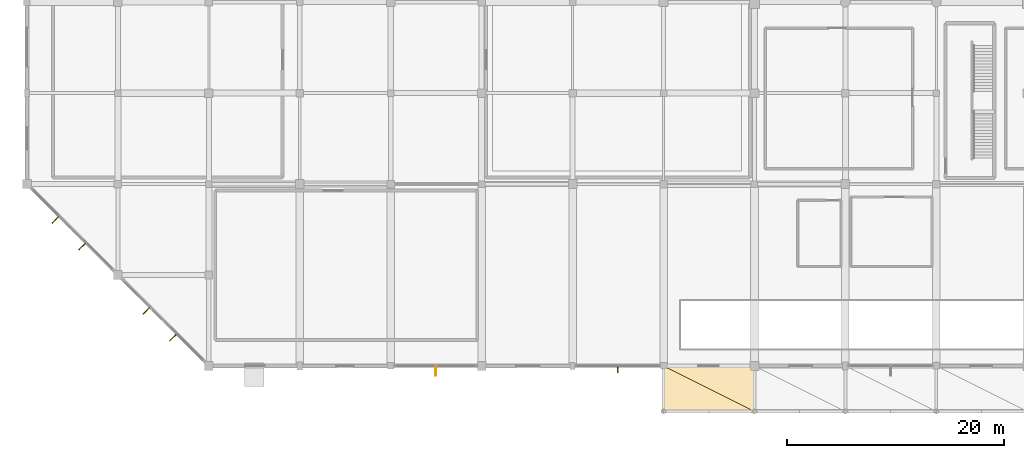
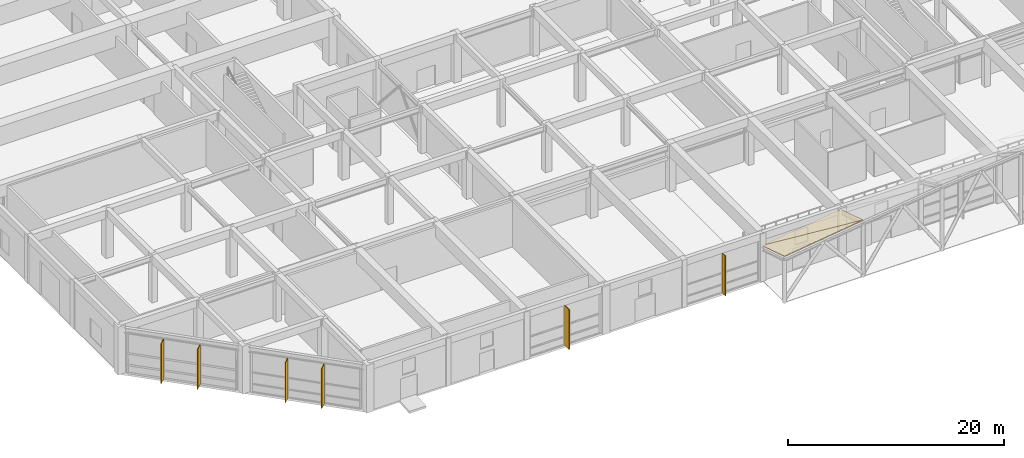
# One storey, part 52 of 62: 6 shading devices, 2 coverings.
"""IFC4 building model written with IfcOpenShell, lengths in metres."""

from ifc_helpers import new_model, si_unit, direction, frame, origin, origin_2d, place, context, subcontext, project, spatial, polyline, rectangle, outline, extrude, material, layer, layer_set, type_object, element, save


model = new_model("IFC4")

# Units and contexts
model_context = context("Model", 3, precision=1e-05, world=origin(), true_north=direction((0.0, 1.0)))
body_context = subcontext(model_context, "Body", "Model", "MODEL_VIEW")
ifc_project = project(units=[si_unit("LENGTHUNIT", "METRE"), si_unit("AREAUNIT", "SQUARE_METRE"), si_unit("VOLUMEUNIT", "CUBIC_METRE"), si_unit("PLANEANGLEUNIT", "RADIAN"), si_unit("MASSUNIT", "GRAM", prefix="KILO")], contexts=[model_context])

# Site, building, storey
site_placement = place(None, origin())
site = spatial("IfcSite", under=ifc_project, at=site_placement, CompositionType="ELEMENT")
building_placement = place(site_placement, origin())
building = spatial("IfcBuilding", under=site, at=building_placement, Name="Xuanlan Plaza Opera House", CompositionType="ELEMENT")
storey_placement = place(building_placement, origin())
storey = spatial("IfcBuildingStorey", under=building, at=storey_placement, Name="L00", CompositionType="ELEMENT", Elevation=0.0)

# Coverings
ifc_material = material(Name="Anodised Aluminium 6063-T6", Category="aluminium")
ifc_layer = layer(ifc_material, 0.06005859375)
ifc_layer_set = layer_set([ifc_layer], Name="Anodised Aluminium 6063-T6")
covering_type = type_object("IfcCoveringType", Name="ENV-COV-RF01", PredefinedType="ROOFING", material=ifc_layer_set)
covering_1_placement = place(storey_placement, frame((58.800048828125, 0.0, 3.85009765625), z_axis=(-0.129233766737, 0.303466127411, 0.94403757502), x_axis=(0.990759590927, 0.0, 0.13562976438)))
element("IfcCovering", 1, at=covering_1_placement, inside=storey, type_object=covering_type, Name="Grand Plaza Sweeping Arched Canopy Facet 01-1", PredefinedType="ROOFING", context=body_context, shape_type="SweptSolid", body=[
    extrude(outline(polyline([(0.0, 0.0), (8.478244794, 0.0), (8.661358221, -4.407813857), (0.0, 0.0)])), origin(), (0.0, 0.0, -1.0), 0.06005859375),
])
covering_2_placement = place(storey_placement, frame((58.800048828125, 0.0, 3.85009765625), z_axis=(-0.129262898942, 0.303415227448, 0.944049947148), x_axis=(0.864326783154, -0.432163391577, 0.257243104676)))
element("IfcCovering", 2, at=covering_2_placement, inside=storey, type_object=covering_type, Name="Grand Plaza Sweeping Arched Canopy Facet 01-2", PredefinedType="ROOFING", context=body_context, shape_type="SweptSolid", body=[
    extrude(outline(polyline([(0.0, 0.0), (9.718433476, 0.0), (2.162305652, -3.845273544), (0.0, 0.0)])), origin(), (0.0, 0.0, -1.0), 0.06005859375),
])

# Shading devices
shading_device_type_1 = type_object("IfcShadingDeviceType", Name="ENV-SHD-BRS01", PredefinedType="JALOUSIE", material=ifc_material)
shading_device_placement = place(storey_placement, frame((54.5625, -0.324951171875, 0.0400390625), z_axis=(0.0, 0.0, 1.0), x_axis=(0.0, -1.0, 0.0)))
element("IfcShadingDevice", 3, at=shading_device_placement, inside=storey, type_object=shading_device_type_1, Name="Parametric Sunshade Fin L00-0002", PredefinedType="JALOUSIE", context=body_context, shape_type="SweptSolid", body=[
    extrude(rectangle(XDim=0.639892578125, YDim=0.070068359375, at=origin_2d()), origin(), (0.0, 0.0, 1.0), 4.5),
])
shading_device_type_2 = type_object("IfcShadingDeviceType", Name="ENV-SHD-BRS02", PredefinedType="JALOUSIE", material=ifc_material)
for number, where, z_axis, x_axis, name in (
    (4, (37.75, -0.465087890625, 0.0400390625), (0.0, 0.0, 1.0), (0.0, -1.0, 0.0), "Parametric Sunshade Fin L00-0001"),
    (5, (2.637451171875, 13.5048828125, 0.0400390625), (0.0, 0.0, 1.0), (-0.707106781187, -0.707106781187, 0.0), "Parametric Sunshade Fin L00-0034"),
    (6, (5.10498046875, 11.03759765625, 0.0400390625), (0.0, 0.0, 1.0), (-0.707106781187, -0.707106781187, 0.0), "Parametric Sunshade Fin L00-0035"),
    (7, (11.03759765625, 5.10498046875, 0.0400390625), (0.0, 0.0, 1.0), (-0.707106781187, -0.707106781187, 0.0), "Parametric Sunshade Fin L00-0036"),
    (8, (13.5048828125, 2.637451171875, 0.0400390625), (0.0, 0.0, 1.0), (-0.707106781187, -0.707106781187, 0.0), "Parametric Sunshade Fin L00-0037"),
):
    element("IfcShadingDevice", number, at=place(storey_placement, frame(where, z_axis=z_axis, x_axis=x_axis)), inside=storey, type_object=shading_device_type_2, Name=name, PredefinedType="JALOUSIE", context=body_context, shape_type="SweptSolid", body=[
        extrude(rectangle(XDim=0.919921875, YDim=0.080078125, at=origin_2d()), origin(), (0.0, 0.0, 1.0), 4.5),
    ])

save(model, "model.ifc")
